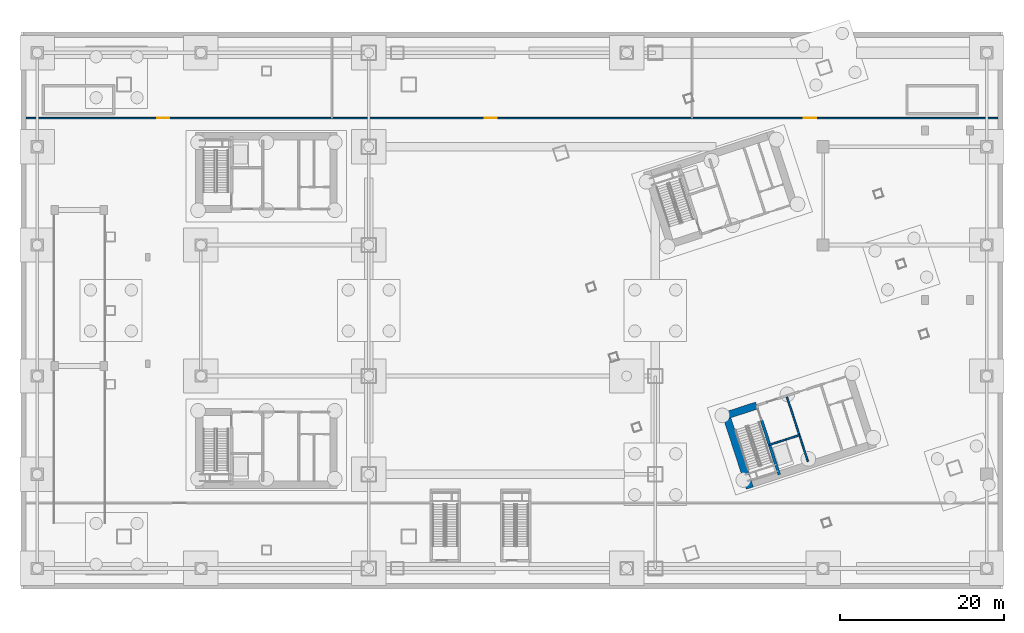
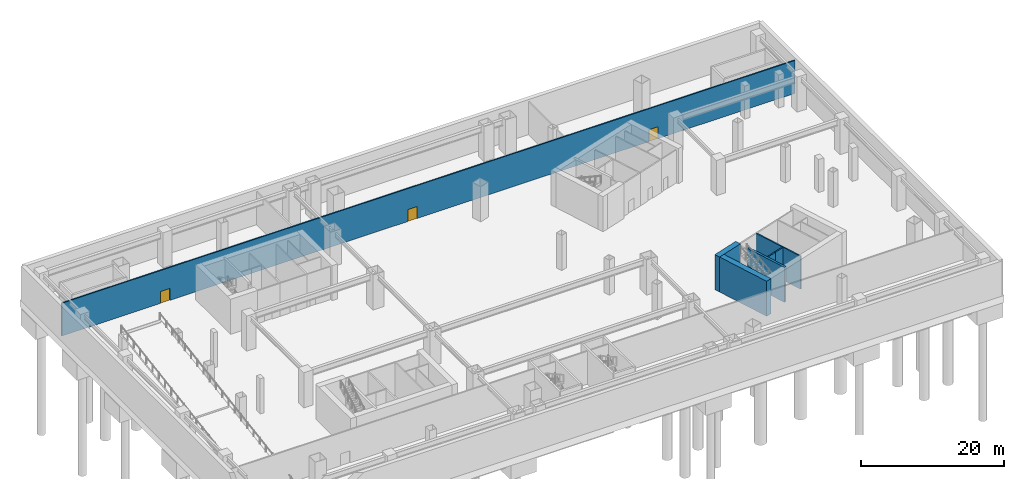
# One storey, part 11 of 20: 7 walls, 3 doors, 3 openings.
"""IFC4 building model written with IfcOpenShell, lengths in metres."""

from ifc_helpers import new_model, si_unit, direction, frame, frame_2d, origin, place, context, subcontext, project, spatial, rectangle, extrude, material, layer, layer_set, type_object, element, fill, save


model = new_model("IFC4")

# Units and contexts
model_context = context("Model", 3, precision=1e-05, world=origin(), true_north=direction((0.0, 1.0)))
body_context = subcontext(model_context, "Body", "Model", "MODEL_VIEW")
ifc_project = project(units=[si_unit("LENGTHUNIT", "METRE"), si_unit("AREAUNIT", "SQUARE_METRE"), si_unit("VOLUMEUNIT", "CUBIC_METRE"), si_unit("PLANEANGLEUNIT", "RADIAN"), si_unit("MASSUNIT", "GRAM", prefix="KILO")], contexts=[model_context])

# Site, building, storey
site_placement = place(None, origin())
site = spatial("IfcSite", under=ifc_project, at=site_placement, CompositionType="ELEMENT")
building_placement = place(site_placement, origin())
building = spatial("IfcBuilding", under=site, at=building_placement, Name="Qiaolan Cultural Towers", CompositionType="ELEMENT")
storey_placement = place(building_placement, frame((0.0, 0.0, -12.0)))
storey = spatial("IfcBuildingStorey", under=building, at=storey_placement, Name="B2", CompositionType="ELEMENT", Elevation=-12.0)

# Walls
ifc_material_1 = material(Name="Concrete C50", Category="concrete")
ifc_layer_1 = layer(ifc_material_1, 0.35009765625)
ifc_layer_set_1 = layer_set([ifc_layer_1], Name="Concrete C50")
wall_type_1 = type_object("IfcWallType", Name="WL-CORE-350", PredefinedType="SHEAR", material=ifc_layer_set_1)
wall_1_placement = place(storey_placement, frame((90.486328125, 20.59423828125, 0.0), z_axis=(0.0, 0.0, 1.0), x_axis=(0.309020428229, -0.951055400562, 0.0)))
element("IfcWall", 1, at=wall_1_placement, inside=storey, type_object=wall_type_1, Name="B2 T2-CS Stair Core Dividing Web", PredefinedType="SHEAR", context=body_context, shape_type="SweptSolid", body=[
    extrude(rectangle(XDim=6.97998046875, YDim=0.35009765625, at=frame_2d((3.489990234375, 0.0))), origin(), (0.0, 0.0, 1.0), 6.0),
])
ifc_material_2 = material(Name="Concrete C60", Category="concrete")
ifc_layer_2 = layer(ifc_material_2, 0.89990234375)
ifc_layer_set_2 = layer_set([ifc_layer_2], Name="Concrete C60")
wall_type_2 = type_object("IfcWallType", Name="WL-CORE-900", PredefinedType="SHEAR", material=ifc_layer_set_2)
wall_2_placement = place(storey_placement, frame((86.031982421875, 21.617919921875, 0.0), z_axis=(0.0, 0.0, 1.0), x_axis=(0.30901438634, -0.951057363693, 0.0)))
element("IfcWall", 2, at=wall_2_placement, inside=storey, type_object=wall_type_2, Name="B2 T2-CS West Core Shear Wall", PredefinedType="SHEAR", context=body_context, shape_type="SweptSolid", body=[
    extrude(rectangle(XDim=9.7802734375, YDim=0.89990234375, at=frame_2d((4.89013671875, 0.0))), origin(), (0.0, 0.0, 1.0), 6.0),
])
wall_3_placement = place(storey_placement, frame((85.7431640625, 21.05078125, 0.0), z_axis=(0.0, 0.0, 1.0), x_axis=(0.951063623806, 0.308995118848, 0.0)))
element("IfcWall", 3, at=wall_3_placement, inside=storey, type_object=wall_type_2, Name="B2 T2-CS Stair Front Shear Wall", PredefinedType="SHEAR", context=body_context, shape_type="SweptSolid", body=[
    extrude(rectangle(XDim=4.3701171875, YDim=0.89990234375, at=frame_2d((2.18505859375, 0.0))), origin(), (0.0, 0.0, 1.0), 6.0),
])
ifc_material_3 = material(Name="Concrete C35 Fire Wall", Category="concrete")
ifc_layer_3 = layer(ifc_material_3, 0.199951171875)
ifc_layer_set_3 = layer_set([ifc_layer_3], Name="Concrete C35 Fire Wall")
wall_type_3 = type_object("IfcWallType", Name="WL-FIRE-200", PredefinedType="PARTITIONING", material=ifc_layer_set_3)
wall_4_placement = place(storey_placement, frame((93.541748046875, 23.584716796875, 0.0), z_axis=(0.0, 0.0, 1.0), x_axis=(0.309042196757, -0.951048327176, 0.0)))
element("IfcWall", 4, at=wall_4_placement, inside=storey, type_object=wall_type_3, Name="B2 T2-CS Firefighting Zone Wall", PredefinedType="PARTITIONING", context=body_context, shape_type="SweptSolid", body=[
    extrude(rectangle(XDim=8.429931640625, YDim=0.199951171875, at=frame_2d((4.21484375, 0.0))), origin(), (0.0, 0.0, 1.0), 5.635009765625),
])
wall_5_placement = place(storey_placement, frame((91.459716796875, 17.598388671875, 0.0), z_axis=(0.0, 0.0, 1.0), x_axis=(0.951062257173, 0.308999325213, 0.0)))
element("IfcWall", 5, at=wall_5_placement, inside=storey, type_object=wall_type_3, Name="B2 T2-CS Firefighting Shaft Front Wall", PredefinedType="PARTITIONING", context=body_context, shape_type="SweptSolid", body=[
    extrude(rectangle(XDim=2.10009765625, YDim=0.199951171875, at=frame_2d((1.050048828125, 0.0))), origin(), (0.0, 0.0, 1.0), 5.635009765625),
])
wall_6_placement = place(storey_placement, frame((93.45703125, 18.247314453125, 0.0), z_axis=(0.0, 0.0, 1.0), x_axis=(0.951041328149, 0.309063734775, 0.0)))
element("IfcWall", 6, at=wall_6_placement, inside=storey, type_object=wall_type_3, Name="B2 T2-CS Firefighting Pit Wall", PredefinedType="PARTITIONING", context=body_context, shape_type="SweptSolid", body=[
    extrude(rectangle(XDim=1.72998046875, YDim=0.199951171875, at=frame_2d((0.864990234375, 0.0))), origin(), (0.0, 0.0, 1.0), 5.635009765625),
])

# Wall, openings, doors
wall_7_placement = place(storey_placement, frame((0.64990234375, 57.5, 0.0), z_axis=(0.0, 0.0, 1.0), x_axis=(1.0, 0.0, 0.0)))
wall_7 = element("IfcWall", 7, at=wall_7_placement, inside=storey, type_object=wall_type_3, Name="B2 Podium Partition B2-NPLT", PredefinedType="PARTITIONING", context=body_context, shape_type="SweptSolid", body=[
    extrude(rectangle(XDim=118.7001953125, YDim=0.199951171875, at=frame_2d((59.35009765625, 0.0))), origin(), (0.0, 0.0, 1.0), 5.635009765625),
])
opening_1_placement = place(wall_7_placement, frame((16.0, 0.0, 0.0)))
opening_1 = element("IfcOpeningElement", 8, at=opening_1_placement, cuts=wall_7, Name="Opening FD-02", PredefinedType="OPENING", context=body_context, shape_type="SweptSolid", body=[
    extrude(rectangle(XDim=1.5, YDim=2.050048828125, at=frame_2d((0.75, 1.02490234375))), frame((0.0, 0.10986328125, 0.0), z_axis=(0.0, -1.0, 0.0), x_axis=(1.0, 0.0, 0.0)), (0.0, 0.0, 1.0), 0.219970703125),
])
opening_2_placement = place(wall_7_placement, frame((56.0, 0.0, 0.0)))
opening_2 = element("IfcOpeningElement", 9, at=opening_2_placement, cuts=wall_7, Name="Opening FD-02", PredefinedType="OPENING", context=body_context, shape_type="SweptSolid", body=[
    extrude(rectangle(XDim=1.5, YDim=2.050048828125, at=frame_2d((0.75, 1.02490234375))), frame((0.0, 0.10986328125, 0.0), z_axis=(0.0, -1.0, 0.0), x_axis=(1.0, 0.0, 0.0)), (0.0, 0.0, 1.0), 0.219970703125),
])
opening_3_placement = place(wall_7_placement, frame((95.0, 0.0, 0.0)))
opening_3 = element("IfcOpeningElement", 10, at=opening_3_placement, cuts=wall_7, Name="Opening FD-02", PredefinedType="OPENING", context=body_context, shape_type="SweptSolid", body=[
    extrude(rectangle(XDim=1.5, YDim=2.050048828125, at=frame_2d((0.75, 1.02490234375))), frame((0.0, 0.10986328125, 0.0), z_axis=(0.0, -1.0, 0.0), x_axis=(1.0, 0.0, 0.0)), (0.0, 0.0, 1.0), 0.219970703125),
])
ifc_material_4 = material(Name="Galvanized Steel Double Fire Door", Category="steel")
door_type = type_object("IfcDoorType", Name="DR-FD90-1500", OperationType="NOTDEFINED", PredefinedType="DOOR", material=ifc_material_4)
door_1_placement = place(opening_1_placement, origin())
door_1 = element("IfcDoor", 11, at=door_1_placement, inside=storey, type_object=door_type, Name="B2 Central Chiller Plant Door", OperationType="SINGLE_SWING_LEFT", OverallHeight=2.050048828125, OverallWidth=1.5, PredefinedType="DOOR", context=body_context, shape_type="SweptSolid", body=[
    extrude(rectangle(XDim=1.5, YDim=2.050048828125, at=frame_2d((0.75, 1.02490234375))), frame((0.0, 0.02490234375, 0.0), z_axis=(0.0, -1.0, 0.0), x_axis=(1.0, 0.0, 0.0)), (0.0, 0.0, 1.0), 0.050048828125),
])
fill(opening_1, door_1)
door_2_placement = place(opening_2_placement, origin())
door_2 = element("IfcDoor", 12, at=door_2_placement, inside=storey, type_object=door_type, Name="B2 Fire & Domestic Water Pump Room Door", OperationType="SINGLE_SWING_LEFT", OverallHeight=2.050048828125, OverallWidth=1.5, PredefinedType="DOOR", context=body_context, shape_type="SweptSolid", body=[
    extrude(rectangle(XDim=1.5, YDim=2.050048828125, at=frame_2d((0.75, 1.02490234375))), frame((0.0, 0.02490234375, 0.0), z_axis=(0.0, -1.0, 0.0), x_axis=(1.0, 0.0, 0.0)), (0.0, 0.0, 1.0), 0.050048828125),
])
fill(opening_2, door_2)
door_3_placement = place(opening_3_placement, origin())
door_3 = element("IfcDoor", 13, at=door_3_placement, inside=storey, type_object=door_type, Name="B2 Main 10kV Substation Door", OperationType="SINGLE_SWING_RIGHT", OverallHeight=2.050048828125, OverallWidth=1.5, PredefinedType="DOOR", context=body_context, shape_type="SweptSolid", body=[
    extrude(rectangle(XDim=1.5, YDim=2.050048828125, at=frame_2d((0.75, 1.02490234375))), frame((0.0, 0.02490234375, 0.0), z_axis=(0.0, -1.0, 0.0), x_axis=(1.0, 0.0, 0.0)), (0.0, 0.0, 1.0), 0.050048828125),
])
fill(opening_3, door_3)

save(model, "model.ifc")
